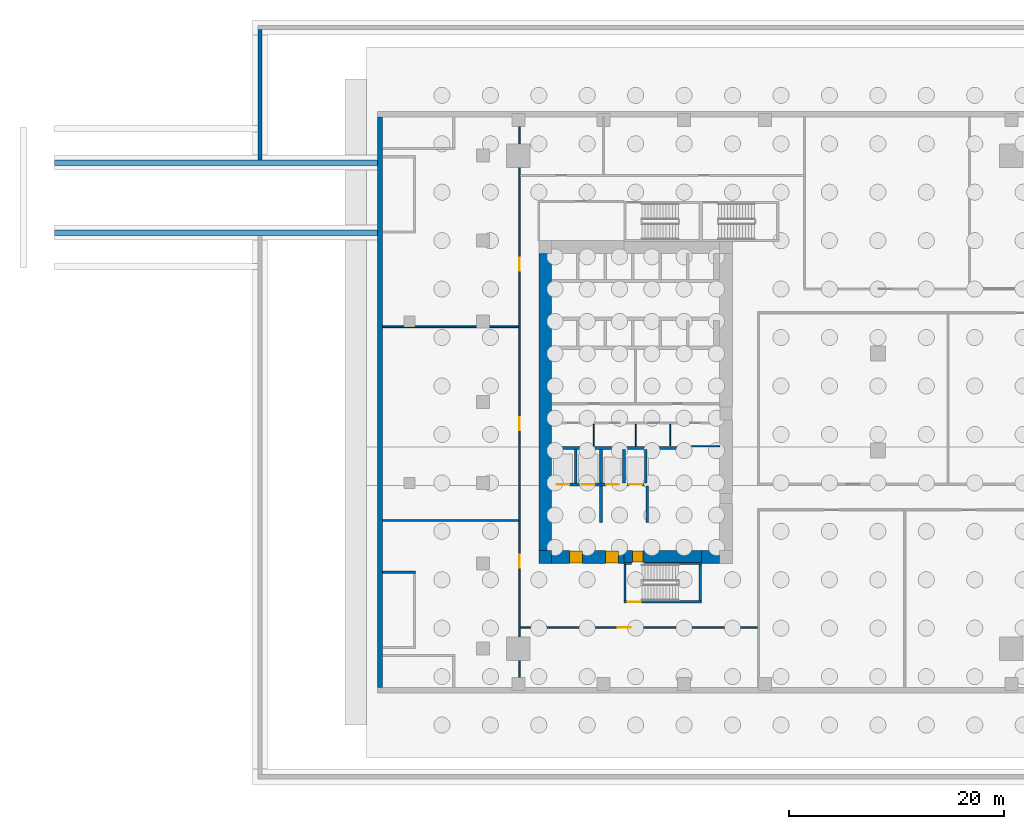
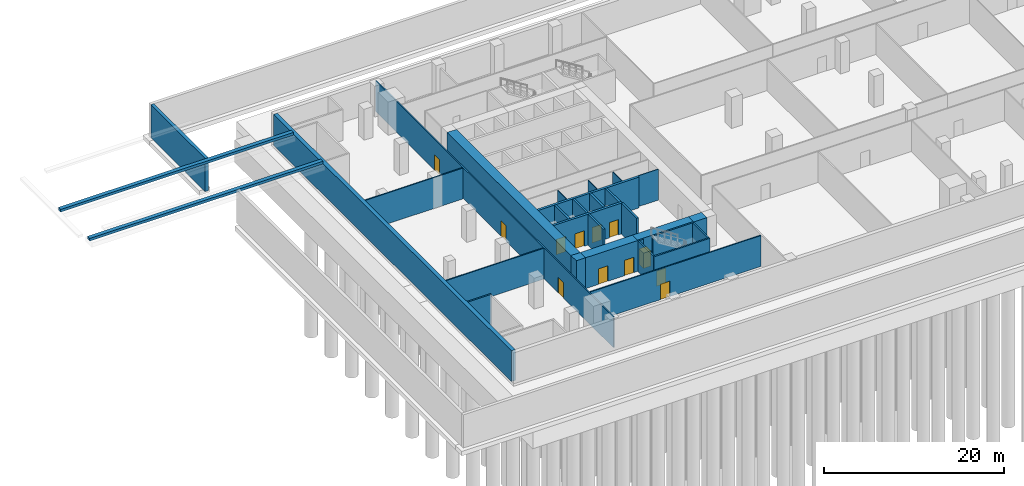
# One storey, part 3 of 10: 31 walls, 12 doors, 12 openings.
"""IFC4 building model written with IfcOpenShell, lengths in metres."""

from ifc_helpers import new_model, si_unit, direction, frame, frame_2d, origin, place, context, subcontext, project, spatial, rectangle, extrude, source, transform, mapped, material, layer, layer_set, type_object, element, fill, save


model = new_model("IFC4")

# Units and contexts
model_context = context("Model", 3, precision=1e-05, world=origin(), true_north=direction((0.0, 1.0)))
body_context = subcontext(model_context, "Body", "Model", "MODEL_VIEW")
ifc_project = project(units=[si_unit("LENGTHUNIT", "METRE"), si_unit("AREAUNIT", "SQUARE_METRE"), si_unit("VOLUMEUNIT", "CUBIC_METRE"), si_unit("PLANEANGLEUNIT", "RADIAN"), si_unit("MASSUNIT", "GRAM", prefix="KILO")], contexts=[model_context])

# Site, building, storey
site_placement = place(None, origin())
site = spatial("IfcSite", under=ifc_project, at=site_placement, CompositionType="ELEMENT")
building_placement = place(site_placement, origin())
building = spatial("IfcBuilding", under=site, at=building_placement, Name="Khomas Fold Tower", CompositionType="ELEMENT")
storey_placement = place(building_placement, frame((0.0, 0.0, -9.0)))
storey = spatial("IfcBuildingStorey", under=building, at=storey_placement, Name="B2", CompositionType="ELEMENT", Elevation=-9.0)

# Wall, openings, doors
ifc_material_1 = material(Name="Concrete C70/85", Category="concrete")
ifc_layer_1 = layer(ifc_material_1, 1.199951171875)
ifc_layer_set_1 = layer_set([ifc_layer_1], Name="Concrete C70/85")
wall_type_1 = type_object("IfcWallType", Name="Core wall 1200", PredefinedType="SHEAR", material=ifc_layer_set_1)
shared_shape_1 = source(origin(), body_context, "Body", "SweptSolid", [
    extrude(rectangle(XDim=6.699951171875, YDim=1.199951171875, at=frame_2d((3.35009765625, 0.0))), origin(), (0.0, 0.0, 1.0), 4.199951171875),
])
wall_1_placement = place(storey_placement, frame((7.199951171875, 12.60009765625, 0.0), z_axis=(0.0, 0.0, 1.0), x_axis=(1.0, 0.0, 0.0)))
wall_1 = element("IfcWall", 1, at=wall_1_placement, inside=storey, type_object=wall_type_1, Name="Core wall CW-L-S-B2", PredefinedType="SHEAR", context=body_context, shape_type="MappedRepresentation", body=[
    mapped(shared_shape_1, transform((0.0, 0.0, 0.0))),
])
shared_shape_2 = source(origin(), body_context, "Body", "SweptSolid", [
    extrude(rectangle(XDim=1.199951171875, YDim=2.10009765625, at=frame_2d((0.60009765625, 1.050048828125))), frame((0.0, 0.60986328125, 0.0), z_axis=(0.0, -1.0, 0.0), x_axis=(1.0, 0.0, 0.0)), (0.0, 0.0, 1.0), 1.219970703125),
])
opening_1_placement = place(wall_1_placement, frame((5.0, 0.0, 0.0)))
opening_1 = element("IfcOpeningElement", 2, at=opening_1_placement, cuts=wall_1, Name="Opening 0009", PredefinedType="OPENING", context=body_context, shape_type="MappedRepresentation", body=[
    mapped(shared_shape_2, transform((0.0, 0.0, 0.0))),
])
opening_2_placement = place(wall_1_placement, frame((1.64990234375, 0.0, 0.0)))
opening_2 = element("IfcOpeningElement", 3, at=opening_2_placement, cuts=wall_1, Name="Opening 0009", PredefinedType="OPENING", context=body_context, shape_type="MappedRepresentation", body=[
    mapped(shared_shape_2, transform((0.0, 0.0, 0.0))),
])
ifc_material_2 = material(Name="Steel door leaf", Category="steel")
door_type_1 = type_object("IfcDoorType", Name="Lobby door 1200x2100 right-hand", OperationType="SINGLE_SWING_RIGHT", PredefinedType="DOOR", material=ifc_material_2)
shared_shape_3 = source(origin(), body_context, "Body", "SweptSolid", [
    extrude(rectangle(XDim=1.199951171875, YDim=2.10009765625, at=frame_2d((0.60009765625, 1.050048828125))), frame((0.0, 0.5498046875, 0.0), z_axis=(0.0, -1.0, 0.0), x_axis=(1.0, 0.0, 0.0)), (0.0, 0.0, 1.0), 1.099853515625),
])
door_1_placement = place(opening_1_placement, origin())
door_1 = element("IfcDoor", 4, at=door_1_placement, inside=storey, type_object=door_type_1, Name="Lobby door", OperationType="SINGLE_SWING_RIGHT", OverallHeight=2.10009765625, OverallWidth=1.199951171875, PredefinedType="DOOR", context=body_context, shape_type="MappedRepresentation", body=[
    mapped(shared_shape_3, transform((0.0, 0.0, 0.0))),
])
fill(opening_1, door_1)
door_2_placement = place(opening_2_placement, origin())
door_2 = element("IfcDoor", 5, at=door_2_placement, inside=storey, type_object=door_type_1, Name="Lobby door", OperationType="SINGLE_SWING_RIGHT", OverallHeight=2.10009765625, OverallWidth=1.199951171875, PredefinedType="DOOR", context=body_context, shape_type="MappedRepresentation", body=[
    mapped(shared_shape_3, transform((0.0, 0.0, 0.0))),
])
fill(opening_2, door_2)

# Wall
ifc_material_3 = material(Name="Concrete C70/85", Category="concrete")
ifc_layer_2 = layer(ifc_material_3, 1.199951171875)
ifc_layer_set_2 = layer_set([ifc_layer_2], Name="Concrete C70/85")
wall_type_2 = type_object("IfcWallType", Name="Core corner wall 1200", PredefinedType="SHEAR", material=ifc_layer_set_2)
shared_shape_4 = source(origin(), body_context, "Body", "SweptSolid", [
    extrude(rectangle(XDim=1.199951171875, YDim=1.199951171875, at=frame_2d((0.60009765625, 0.0))), origin(), (0.0, 0.0, 1.0), 4.199951171875),
])
wall_2_placement = place(storey_placement, frame((6.0, 12.60009765625, 0.0), z_axis=(0.0, 0.0, 1.0), x_axis=(1.0, 0.0, 0.0)))
element("IfcWall", 6, at=wall_2_placement, inside=storey, type_object=wall_type_2, Name="Core wall CW-L-SW-B2", PredefinedType="SHEAR", context=body_context, shape_type="MappedRepresentation", body=[
    mapped(shared_shape_4, transform((0.0, 0.0, 0.0))),
])

# Wall, opening, door
ifc_material_4 = material(Name="Concrete C70/85", Category="concrete")
ifc_layer_3 = layer(ifc_material_4, 1.10009765625)
ifc_layer_set_3 = layer_set([ifc_layer_3], Name="Concrete C70/85")
wall_type_3 = type_object("IfcWallType", Name="Core wall 1100", PredefinedType="SHEAR", material=ifc_layer_set_3)
shared_shape_5 = source(origin(), body_context, "Body", "SweptSolid", [
    extrude(rectangle(XDim=7.2001953125, YDim=1.10009765625, at=frame_2d((3.60009765625, 0.0))), origin(), (0.0, 0.0, 1.0), 4.199951171875),
])
wall_3_placement = place(storey_placement, frame((13.89990234375, 12.64990234375, 0.0), z_axis=(0.0, 0.0, 1.0), x_axis=(1.0, 0.0, 0.0)))
wall_3 = element("IfcWall", 7, at=wall_3_placement, inside=storey, type_object=wall_type_3, Name="Core wall CW-L-S-B2-1", PredefinedType="SHEAR", context=body_context, shape_type="MappedRepresentation", body=[
    mapped(shared_shape_5, transform((0.0, 0.0, 0.0))),
])
shared_shape_6 = source(origin(), body_context, "Body", "SweptSolid", [
    extrude(rectangle(XDim=1.0, YDim=2.10009765625, at=frame_2d((0.5, 1.050048828125))), frame((0.0, 0.56005859375, 0.0), z_axis=(0.0, -1.0, 0.0), x_axis=(1.0, 0.0, 0.0)), (0.0, 0.0, 1.0), 1.1201171875),
])
opening_3_placement = place(wall_3_placement, frame((0.800048828125, 0.0, 0.0)))
opening_3 = element("IfcOpeningElement", 8, at=opening_3_placement, cuts=wall_3, Name="Opening 0010", PredefinedType="OPENING", context=body_context, shape_type="MappedRepresentation", body=[
    mapped(shared_shape_6, transform((0.0, 0.0, 0.0))),
])
ifc_material_5 = material(Name="Steel door leaf", Category="steel")
door_type_2 = type_object("IfcDoorType", Name="Stair door 1000x2100 right-hand", OperationType="SINGLE_SWING_RIGHT", PredefinedType="DOOR", material=ifc_material_5)
shared_shape_7 = source(origin(), body_context, "Body", "SweptSolid", [
    extrude(rectangle(XDim=1.0, YDim=2.10009765625, at=frame_2d((0.5, 1.050048828125))), frame((0.0, 0.5, 0.0), z_axis=(0.0, -1.0, 0.0), x_axis=(1.0, 0.0, 0.0)), (0.0, 0.0, 1.0), 1.0),
])
door_3_placement = place(opening_3_placement, origin())
door_3 = element("IfcDoor", 9, at=door_3_placement, inside=storey, type_object=door_type_2, Name="Stair door", OperationType="SINGLE_SWING_RIGHT", OverallHeight=2.10009765625, OverallWidth=1.0, PredefinedType="DOOR", context=body_context, shape_type="MappedRepresentation", body=[
    mapped(shared_shape_7, transform((0.0, 0.0, 0.0))),
])
fill(opening_3, door_3)

# Walls
shared_shape_8 = source(origin(), body_context, "Body", "SweptSolid", [
    extrude(rectangle(XDim=1.699951171875, YDim=1.199951171875, at=frame_2d((0.85009765625, 0.0))), origin(), (0.0, 0.0, 1.0), 4.199951171875),
])
wall_4_placement = place(storey_placement, frame((21.10009765625, 12.60009765625, 0.0), z_axis=(0.0, 0.0, 1.0), x_axis=(1.0, 0.0, 0.0)))
element("IfcWall", 10, at=wall_4_placement, inside=storey, type_object=wall_type_1, Name="Core wall CW-L-S-B2-2", PredefinedType="SHEAR", context=body_context, shape_type="MappedRepresentation", body=[
    mapped(shared_shape_8, transform((0.0, 0.0, 0.0))),
])
shared_shape_9 = source(origin(), body_context, "Body", "SweptSolid", [
    extrude(rectangle(XDim=27.60009765625, YDim=1.199951171875, at=frame_2d((13.800048828125, 0.0))), origin(), (0.0, 0.0, 1.0), 4.199951171875),
])
wall_5_placement = place(storey_placement, frame((6.60009765625, 13.199951171875, 0.0), z_axis=(0.0, 0.0, 1.0), x_axis=(0.0, 1.0, 0.0)))
element("IfcWall", 11, at=wall_5_placement, inside=storey, type_object=wall_type_1, Name="Core wall CW-L-W-B2", PredefinedType="SHEAR", context=body_context, shape_type="MappedRepresentation", body=[
    mapped(shared_shape_9, transform((0.0, 0.0, 0.0))),
])
ifc_material_6 = material(Name="Concrete C50/60", Category="concrete")
ifc_layer_4 = layer(ifc_material_6, 0.199951171875)
ifc_layer_set_4 = layer_set([ifc_layer_4], Name="Concrete C50/60")
wall_type_4 = type_object("IfcWallType", Name="Stair wall 200", PredefinedType="SHEAR", material=ifc_layer_set_4)
shared_shape_10 = source(origin(), body_context, "Body", "SweptSolid", [
    extrude(rectangle(XDim=0.7001953125, YDim=0.199951171875, at=frame_2d((0.35009765625, 0.0))), origin(), (0.0, 0.0, 1.0), 4.199951171875),
])
wall_6_placement = place(storey_placement, frame((13.89990234375, 12.0, 0.0), z_axis=(0.0, 0.0, 1.0), x_axis=(1.0, 0.0, 0.0)))
element("IfcWall", 12, at=wall_6_placement, inside=storey, type_object=wall_type_4, Name="Stair wall SW-ST2-N", PredefinedType="SHEAR", context=body_context, shape_type="MappedRepresentation", body=[
    mapped(shared_shape_10, transform((0.0, 0.0, 0.0))),
])
shared_shape_11 = source(origin(), body_context, "Body", "SweptSolid", [
    extrude(rectangle(XDim=5.300048828125, YDim=0.199951171875, at=frame_2d((2.64990234375, 0.0))), origin(), (0.0, 0.0, 1.0), 4.199951171875),
])
wall_7_placement = place(storey_placement, frame((15.800048828125, 12.0, 0.0), z_axis=(0.0, 0.0, 1.0), x_axis=(1.0, 0.0, 0.0)))
element("IfcWall", 13, at=wall_7_placement, inside=storey, type_object=wall_type_4, Name="Stair wall SW-ST2-NB", PredefinedType="SHEAR", context=body_context, shape_type="MappedRepresentation", body=[
    mapped(shared_shape_11, transform((0.0, 0.0, 0.0))),
])

# Wall, opening, door
shared_shape_12 = source(origin(), body_context, "Body", "SweptSolid", [
    extrude(rectangle(XDim=7.2001953125, YDim=0.199951171875, at=frame_2d((3.60009765625, 0.0))), origin(), (0.0, 0.0, 1.0), 4.199951171875),
])
wall_8_placement = place(storey_placement, frame((13.89990234375, 8.449951171875, 0.0), z_axis=(0.0, 0.0, 1.0), x_axis=(1.0, 0.0, 0.0)))
wall_8 = element("IfcWall", 14, at=wall_8_placement, inside=storey, type_object=wall_type_4, Name="Stair wall SW-ST2-S", PredefinedType="SHEAR", context=body_context, shape_type="MappedRepresentation", body=[
    mapped(shared_shape_12, transform((0.0, 0.0, 0.0))),
])
shared_shape_13 = source(origin(), body_context, "Body", "SweptSolid", [
    extrude(rectangle(XDim=1.199951171875, YDim=2.10009765625, at=frame_2d((0.60009765625, 1.050048828125))), frame((0.0, 0.10986328125, 0.0), z_axis=(0.0, -1.0, 0.0), x_axis=(1.0, 0.0, 0.0)), (0.0, 0.0, 1.0), 0.219970703125),
])
opening_4_placement = place(wall_8_placement, frame((0.35009765625, 0.0, 0.0)))
opening_4 = element("IfcOpeningElement", 15, at=opening_4_placement, cuts=wall_8, Name="Opening SD-ST2", PredefinedType="OPENING", context=body_context, shape_type="MappedRepresentation", body=[
    mapped(shared_shape_13, transform((0.0, 0.0, 0.0))),
])
ifc_material_7 = material(Name="Steel door leaf", Category="steel")
door_type_3 = type_object("IfcDoorType", Name="Stair door 1200x2100 right-hand", OperationType="SINGLE_SWING_RIGHT", PredefinedType="DOOR", material=ifc_material_7)
shared_shape_14 = source(origin(), body_context, "Body", "SweptSolid", [
    extrude(rectangle(XDim=1.199951171875, YDim=2.10009765625, at=frame_2d((0.60009765625, 1.050048828125))), frame((0.0, 0.02490234375, 0.0), z_axis=(0.0, -1.0, 0.0), x_axis=(1.0, 0.0, 0.0)), (0.0, 0.0, 1.0), 0.050048828125),
])
door_4_placement = place(opening_4_placement, origin())
door_4 = element("IfcDoor", 16, at=door_4_placement, inside=storey, type_object=door_type_3, Name="Stair door", OperationType="SINGLE_SWING_RIGHT", OverallHeight=2.10009765625, OverallWidth=1.199951171875, PredefinedType="DOOR", context=body_context, shape_type="MappedRepresentation", body=[
    mapped(shared_shape_14, transform((0.0, 0.0, 0.0))),
])
fill(opening_4, door_4)

# Walls
shared_shape_15 = source(origin(), body_context, "Body", "SweptSolid", [
    extrude(rectangle(XDim=3.349853515625, YDim=0.199951171875, at=frame_2d((1.6748046875, 0.0))), origin(), (0.0, 0.0, 1.0), 4.199951171875),
])
for number, where, z_axis, x_axis, name in (
    (17, (21.0, 8.550048828125, 0.0), (0.0, 0.0, 1.0), (0.0, 1.0, 0.0), "Stair wall SW-ST2-E"),
    (18, (14.0, 8.550048828125, 0.0), (0.0, 0.0, 1.0), (0.0, 1.0, 0.0), "Stair wall SW-ST2-W"),
):
    element("IfcWall", number, at=place(storey_placement, frame(where, z_axis=z_axis, x_axis=x_axis)), inside=storey, type_object=wall_type_4, Name=name, PredefinedType="SHEAR", context=body_context, shape_type="MappedRepresentation", body=[
        mapped(shared_shape_15, transform((0.0, 0.0, 0.0))),
    ])
ifc_material_8 = material(Name="Concrete C50/60", Category="concrete")
ifc_layer_5 = layer(ifc_material_8, 0.300048828125)
ifc_layer_set_5 = layer_set([ifc_layer_5], Name="Concrete C50/60")
wall_type_5 = type_object("IfcWallType", Name="Shaft wall 300", PredefinedType="STANDARD", material=ifc_layer_set_5)
shared_shape_16 = source(origin(), body_context, "Body", "SweptSolid", [
    extrude(rectangle(XDim=13.0, YDim=0.300048828125, at=frame_2d((6.5, 0.0))), origin(), (0.0, 0.0, 1.0), 4.199951171875),
])
wall_9_placement = place(storey_placement, frame((7.199951171875, 22.75, 0.0), z_axis=(0.0, 0.0, 1.0), x_axis=(1.0, 0.0, 0.0)))
element("IfcWall", 19, at=wall_9_placement, inside=storey, type_object=wall_type_5, Name="Core wall SW-FS-B", PredefinedType="STANDARD", context=body_context, shape_type="MappedRepresentation", body=[
    mapped(shared_shape_16, transform((0.0, 0.0, 0.0))),
])

# Wall, openings, doors
shared_shape_17 = source(origin(), body_context, "Body", "SweptSolid", [
    extrude(rectangle(XDim=8.875, YDim=0.300048828125, at=frame_2d((4.4375, 0.0))), origin(), (0.0, 0.0, 1.0), 4.199951171875),
])
wall_10_placement = place(storey_placement, frame((7.199951171875, 19.35009765625, 0.0), z_axis=(0.0, 0.0, 1.0), x_axis=(1.0, 0.0, 0.0)))
wall_10 = element("IfcWall", 20, at=wall_10_placement, inside=storey, type_object=wall_type_5, Name="Core wall SW-FS-F", PredefinedType="STANDARD", context=body_context, shape_type="MappedRepresentation", body=[
    mapped(shared_shape_17, transform((0.0, 0.0, 0.0))),
])
shared_shape_18 = source(origin(), body_context, "Body", "SweptSolid", [
    extrude(rectangle(XDim=1.199951171875, YDim=2.10009765625, at=frame_2d((0.60009765625, 1.050048828125))), frame((0.0, 0.159912109375, 0.0), z_axis=(0.0, -1.0, 0.0), x_axis=(1.0, 0.0, 0.0)), (0.0, 0.0, 1.0), 0.320068359375),
])
opening_5_placement = place(wall_10_placement, frame((0.449951171875, 0.0, 0.0)))
opening_5 = element("IfcOpeningElement", 21, at=opening_5_placement, cuts=wall_10, Name="Opening LD-SV1", PredefinedType="OPENING", context=body_context, shape_type="MappedRepresentation", body=[
    mapped(shared_shape_18, transform((0.0, 0.0, 0.0))),
])
opening_6_placement = place(wall_10_placement, frame((2.800048828125, 0.0, 0.0)))
opening_6 = element("IfcOpeningElement", 22, at=opening_6_placement, cuts=wall_10, Name="Opening LD-SV2", PredefinedType="OPENING", context=body_context, shape_type="MappedRepresentation", body=[
    mapped(shared_shape_18, transform((0.0, 0.0, 0.0))),
])
opening_7_placement = place(wall_10_placement, frame((5.050048828125, 0.0, 0.0)))
opening_7 = element("IfcOpeningElement", 23, at=opening_7_placement, cuts=wall_10, Name="Opening LD-FF1", PredefinedType="OPENING", context=body_context, shape_type="MappedRepresentation", body=[
    mapped(shared_shape_18, transform((0.0, 0.0, 0.0))),
])
opening_8_placement = place(wall_10_placement, frame((7.199951171875, 0.0, 0.0)))
opening_8 = element("IfcOpeningElement", 24, at=opening_8_placement, cuts=wall_10, Name="Opening LD-FF2", PredefinedType="OPENING", context=body_context, shape_type="MappedRepresentation", body=[
    mapped(shared_shape_18, transform((0.0, 0.0, 0.0))),
])
ifc_material_9 = material(Name="Steel door leaf", Category="steel")
door_type_4 = type_object("IfcDoorType", Name="Landing door 1200x2100", OperationType="DOUBLE_DOOR_SLIDING", PredefinedType="DOOR", material=ifc_material_9)
door_5_placement = place(opening_5_placement, origin())
door_5 = element("IfcDoor", 25, at=door_5_placement, inside=storey, type_object=door_type_4, Name="Lift landing door", OperationType="DOUBLE_DOOR_SLIDING", OverallHeight=2.10009765625, OverallWidth=1.199951171875, PredefinedType="DOOR", context=body_context, shape_type="MappedRepresentation", body=[
    mapped(shared_shape_14, transform((0.0, 0.0, 0.0))),
])
fill(opening_5, door_5)
door_6_placement = place(opening_6_placement, origin())
door_6 = element("IfcDoor", 26, at=door_6_placement, inside=storey, type_object=door_type_4, Name="Lift landing door", OperationType="DOUBLE_DOOR_SLIDING", OverallHeight=2.10009765625, OverallWidth=1.199951171875, PredefinedType="DOOR", context=body_context, shape_type="MappedRepresentation", body=[
    mapped(shared_shape_14, transform((0.0, 0.0, 0.0))),
])
fill(opening_6, door_6)
door_7_placement = place(opening_7_placement, origin())
door_7 = element("IfcDoor", 27, at=door_7_placement, inside=storey, type_object=door_type_4, Name="Lift landing door", OperationType="DOUBLE_DOOR_SLIDING", OverallHeight=2.10009765625, OverallWidth=1.199951171875, PredefinedType="DOOR", context=body_context, shape_type="MappedRepresentation", body=[
    mapped(shared_shape_14, transform((0.0, 0.0, 0.0))),
])
fill(opening_7, door_7)
door_8_placement = place(opening_8_placement, origin())
door_8 = element("IfcDoor", 28, at=door_8_placement, inside=storey, type_object=door_type_4, Name="Lift landing door", OperationType="DOUBLE_DOOR_SLIDING", OverallHeight=2.10009765625, OverallWidth=1.199951171875, PredefinedType="DOOR", context=body_context, shape_type="MappedRepresentation", body=[
    mapped(shared_shape_14, transform((0.0, 0.0, 0.0))),
])
fill(opening_8, door_8)

# Walls
ifc_material_10 = material(Name="Concrete C50/60", Category="concrete")
ifc_layer_6 = layer(ifc_material_10, 0.25)
ifc_layer_set_6 = layer_set([ifc_layer_6], Name="Concrete C50/60")
wall_type_6 = type_object("IfcWallType", Name="Shaft wall 250", PredefinedType="STANDARD", material=ifc_layer_set_6)
shared_shape_19 = source(origin(), body_context, "Body", "SweptSolid", [
    extrude(rectangle(XDim=3.10009765625, YDim=0.25, at=frame_2d((1.550048828125, 0.0))), origin(), (0.0, 0.0, 1.0), 4.199951171875),
])
for number, where, z_axis, x_axis, name in (
    (29, (9.425048828125, 19.5, 0.0), (0.0, 0.0, 1.0), (0.0, 1.0, 0.0), "Core wall SW-FS-P1"),
    (30, (11.77490234375, 19.5, 0.0), (0.0, 0.0, 1.0), (0.0, 1.0, 0.0), "Core wall SW-FS-P2"),
    (31, (13.925048828125, 19.5, 0.0), (0.0, 0.0, 1.0), (0.0, 1.0, 0.0), "Core wall SW-FS-P3"),
    (32, (15.949951171875, 19.5, 0.0), (0.0, 0.0, 1.0), (0.0, 1.0, 0.0), "Core wall SW-FS-PE"),
):
    element("IfcWall", number, at=place(storey_placement, frame(where, z_axis=z_axis, x_axis=x_axis)), inside=storey, type_object=wall_type_6, Name=name, PredefinedType="STANDARD", context=body_context, shape_type="MappedRepresentation", body=[
        mapped(shared_shape_19, transform((0.0, 0.0, 0.0))),
    ])
ifc_material_11 = material(Name="Concrete C50/60", Category="concrete")
ifc_layer_7 = layer(ifc_material_11, 0.25)
ifc_layer_set_7 = layer_set([ifc_layer_7], Name="Concrete C50/60")
wall_type_7 = type_object("IfcWallType", Name="Lobby wall 250", PredefinedType="STANDARD", material=ifc_layer_set_7)
shared_shape_20 = source(origin(), body_context, "Body", "SweptSolid", [
    extrude(rectangle(XDim=3.39990234375, YDim=0.25, at=frame_2d((1.699951171875, 0.0))), origin(), (0.0, 0.0, 1.0), 4.199951171875),
])
for number, where, z_axis, x_axis, name in (
    (33, (16.074951171875, 15.800048828125, 0.0), (0.0, 0.0, 1.0), (0.0, 1.0, 0.0), "Core wall SW-FS-LOB-E"),
    (34, (11.77490234375, 15.800048828125, 0.0), (0.0, 0.0, 1.0), (0.0, 1.0, 0.0), "Core wall SW-FS-SEP"),
):
    element("IfcWall", number, at=place(storey_placement, frame(where, z_axis=z_axis, x_axis=x_axis)), inside=storey, type_object=wall_type_7, Name=name, PredefinedType="STANDARD", context=body_context, shape_type="MappedRepresentation", body=[
        mapped(shared_shape_20, transform((0.0, 0.0, 0.0))),
    ])
ifc_material_12 = material(Name="Concrete C40/50", Category="concrete")
ifc_layer_8 = layer(ifc_material_12, 0.5)
ifc_layer_set_8 = layer_set([ifc_layer_8], Name="Concrete C40/50")
wall_type_8 = type_object("IfcWallType", Name="Basement wall 500", PredefinedType="STANDARD", material=ifc_layer_set_8)
shared_shape_21 = source(origin(), body_context, "Body", "SweptSolid", [
    extrude(rectangle(XDim=53.0, YDim=0.5, at=frame_2d((26.5, 0.0))), origin(), (0.0, 0.0, 1.0), 4.199951171875),
])
wall_11_placement = place(storey_placement, frame((-8.75, 0.5, 0.0), z_axis=(0.0, 0.0, 1.0), x_axis=(0.0, 1.0, 0.0)))
element("IfcWall", 35, at=wall_11_placement, inside=storey, type_object=wall_type_8, Name="Basement wall W", PredefinedType="STANDARD", context=body_context, shape_type="MappedRepresentation", body=[
    mapped(shared_shape_21, transform((0.0, 0.0, 0.0))),
])
ifc_material_13 = material(Name="Concrete C40/50", Category="concrete")
ifc_layer_9 = layer(ifc_material_13, 0.39990234375)
ifc_layer_set_9 = layer_set([ifc_layer_9], Name="Concrete C40/50")
wall_type_9 = type_object("IfcWallType", Name="Plaza retaining wall 400", PredefinedType="SOLIDWALL", material=ifc_layer_set_9)
shared_shape_22 = source(origin(), body_context, "Body", "SweptSolid", [
    extrude(rectangle(XDim=12.10009765625, YDim=0.39990234375, at=frame_2d((6.050048828125, 0.0))), origin(), (0.0, 0.0, 1.0), 4.5),
])
wall_12_placement = place(storey_placement, frame((-19.898193359375, 49.5, 0.0), z_axis=(0.0, 0.0, 1.0), x_axis=(0.0, 1.0, 0.0)))
element("IfcWall", 36, at=wall_12_placement, inside=storey, type_object=wall_type_9, Name="Plaza retaining wall", PredefinedType="SOLIDWALL", context=body_context, shape_type="MappedRepresentation", body=[
    mapped(shared_shape_22, transform((0.0, 0.0, 0.0))),
])
ifc_material_14 = material(Name="Concrete C40/50", Category="concrete")
ifc_layer_10 = layer(ifc_material_14, 0.5)
ifc_layer_set_10 = layer_set([ifc_layer_10], Name="Concrete C40/50")
wall_type_10 = type_object("IfcWallType", Name="Ramp retaining wall 500", PredefinedType="SOLIDWALL", material=ifc_layer_set_10)
shared_shape_23 = source(origin(), body_context, "Body", "SweptSolid", [
    extrude(rectangle(XDim=29.99462890625, YDim=0.5, at=frame_2d((14.997314453125, 0.0))), origin(), (0.0, 0.0, 1.0), 0.360107421875),
])
for number, where, z_axis, x_axis, name in (
    (37, (-38.99462890625, 42.75, 4.139892578125), (0.0, 0.0, 1.0), (1.0, 0.0, 0.0), "Ramp retaining wall"),
    (38, (-38.99462890625, 49.25, 4.139892578125), (0.0, 0.0, 1.0), (1.0, 0.0, 0.0), "Ramp retaining wall"),
):
    element("IfcWall", number, at=place(storey_placement, frame(where, z_axis=z_axis, x_axis=x_axis)), inside=storey, type_object=wall_type_10, Name=name, PredefinedType="SOLIDWALL", context=body_context, shape_type="MappedRepresentation", body=[
        mapped(shared_shape_23, transform((0.0, 0.0, 0.0))),
    ])

# Wall, openings, doors
ifc_material_15 = material(Name="Plasterboard fire partition")
ifc_layer_11 = layer(ifc_material_15, 0.14990234375)
ifc_layer_set_11 = layer_set([ifc_layer_11], Name="Plasterboard fire partition")
wall_type_11 = type_object("IfcWallType", Name="Plant room wall PW3 150", PredefinedType="PARTITIONING", material=ifc_layer_set_11)
shared_shape_24 = source(origin(), body_context, "Body", "SweptSolid", [
    extrude(rectangle(XDim=53.0, YDim=0.14990234375, at=frame_2d((26.5, 0.0))), origin(), (0.0, 0.0, 1.0), 4.199951171875),
])
wall_13_placement = place(storey_placement, frame((4.199951171875, 0.5, 0.0), z_axis=(0.0, 0.0, 1.0), x_axis=(0.0, 1.0, 0.0)))
wall_13 = element("IfcWall", 39, at=wall_13_placement, inside=storey, type_object=wall_type_11, Name="Plant room wall", PredefinedType="PARTITIONING", context=body_context, shape_type="MappedRepresentation", body=[
    mapped(shared_shape_24, transform((0.0, 0.0, 0.0))),
])
shared_shape_25 = source(origin(), body_context, "Body", "SweptSolid", [
    extrude(rectangle(XDim=1.199951171875, YDim=2.10009765625, at=frame_2d((0.60009765625, 1.050048828125))), frame((0.0, 0.0849609375, 0.0), z_axis=(0.0, -1.0, 0.0), x_axis=(1.0, 0.0, 0.0)), (0.0, 0.0, 1.0), 0.169921875),
])
opening_9_placement = place(wall_13_placement, frame((11.10009765625, 0.0, 0.0)))
opening_9 = element("IfcOpeningElement", 40, at=opening_9_placement, cuts=wall_13, Name="Opening 0011", PredefinedType="OPENING", context=body_context, shape_type="MappedRepresentation", body=[
    mapped(shared_shape_25, transform((0.0, 0.0, 0.0))),
])
opening_10_placement = place(wall_13_placement, frame((23.89990234375, 0.0, 0.0)))
opening_10 = element("IfcOpeningElement", 41, at=opening_10_placement, cuts=wall_13, Name="Opening 0012", PredefinedType="OPENING", context=body_context, shape_type="MappedRepresentation", body=[
    mapped(shared_shape_25, transform((0.0, 0.0, 0.0))),
])
opening_11_placement = place(wall_13_placement, frame((38.699951171875, 0.0, 0.0)))
opening_11 = element("IfcOpeningElement", 42, at=opening_11_placement, cuts=wall_13, Name="Opening 0011", PredefinedType="OPENING", context=body_context, shape_type="MappedRepresentation", body=[
    mapped(shared_shape_25, transform((0.0, 0.0, 0.0))),
])
ifc_material_16 = material(Name="Steel door leaf", Category="steel")
door_type_5 = type_object("IfcDoorType", Name="Plant room door 1200x2100 right-hand", OperationType="SINGLE_SWING_RIGHT", PredefinedType="DOOR", material=ifc_material_16)
door_9_placement = place(opening_9_placement, origin())
door_9 = element("IfcDoor", 43, at=door_9_placement, inside=storey, type_object=door_type_5, Name="Plant room door", OperationType="SINGLE_SWING_RIGHT", OverallHeight=2.10009765625, OverallWidth=1.199951171875, PredefinedType="DOOR", context=body_context, shape_type="MappedRepresentation", body=[
    mapped(shared_shape_14, transform((0.0, 0.0, 0.0))),
])
fill(opening_9, door_9)
ifc_material_17 = material(Name="Steel door leaf", Category="steel")
door_type_6 = type_object("IfcDoorType", Name="Plant room door 1200x2100 left-hand", OperationType="SINGLE_SWING_LEFT", PredefinedType="DOOR", material=ifc_material_17)
door_10_placement = place(opening_10_placement, origin())
door_10 = element("IfcDoor", 44, at=door_10_placement, inside=storey, type_object=door_type_6, Name="Plant room door", OperationType="SINGLE_SWING_LEFT", OverallHeight=2.10009765625, OverallWidth=1.199951171875, PredefinedType="DOOR", context=body_context, shape_type="MappedRepresentation", body=[
    mapped(shared_shape_14, transform((0.0, 0.0, 0.0))),
])
fill(opening_10, door_10)
door_11_placement = place(opening_11_placement, origin())
door_11 = element("IfcDoor", 45, at=door_11_placement, inside=storey, type_object=door_type_5, Name="Plant room door", OperationType="SINGLE_SWING_RIGHT", OverallHeight=2.10009765625, OverallWidth=1.199951171875, PredefinedType="DOOR", context=body_context, shape_type="MappedRepresentation", body=[
    mapped(shared_shape_14, transform((0.0, 0.0, 0.0))),
])
fill(opening_11, door_11)

# Wall, opening, door
shared_shape_26 = source(origin(), body_context, "Body", "SweptSolid", [
    extrude(rectangle(XDim=22.0, YDim=0.14990234375, at=frame_2d((11.0, 0.0))), origin(), (0.0, 0.0, 1.0), 4.199951171875),
])
wall_14_placement = place(storey_placement, frame((4.300048828125, 6.050048828125, 0.0), z_axis=(0.0, 0.0, 1.0), x_axis=(1.0, 0.0, 0.0)))
wall_14 = element("IfcWall", 46, at=wall_14_placement, inside=storey, type_object=wall_type_11, Name="Plant room wall", PredefinedType="PARTITIONING", context=body_context, shape_type="MappedRepresentation", body=[
    mapped(shared_shape_26, transform((0.0, 0.0, 0.0))),
])
opening_12_placement = place(wall_14_placement, frame((9.050048828125, 0.0, 0.0)))
opening_12 = element("IfcOpeningElement", 47, at=opening_12_placement, cuts=wall_14, Name="Opening 0012", PredefinedType="OPENING", context=body_context, shape_type="MappedRepresentation", body=[
    mapped(shared_shape_25, transform((0.0, 0.0, 0.0))),
])
door_12_placement = place(opening_12_placement, origin())
door_12 = element("IfcDoor", 48, at=door_12_placement, inside=storey, type_object=door_type_6, Name="Plant room door", OperationType="SINGLE_SWING_LEFT", OverallHeight=2.10009765625, OverallWidth=1.199951171875, PredefinedType="DOOR", context=body_context, shape_type="MappedRepresentation", body=[
    mapped(shared_shape_14, transform((0.0, 0.0, 0.0))),
])
fill(opening_12, door_12)

# Walls
shared_shape_27 = source(origin(), body_context, "Body", "SweptSolid", [
    extrude(rectangle(XDim=12.60009765625, YDim=0.14990234375, at=frame_2d((6.300048828125, 0.0))), origin(), (0.0, 0.0, 1.0), 4.199951171875),
])
for number, where, z_axis, x_axis, name in (
    (49, (-8.5, 16.0, 0.0), (0.0, 0.0, 1.0), (1.0, 0.0, 0.0), "Plant room wall"),
    (50, (-8.5, 34.0, 0.0), (0.0, 0.0, 1.0), (1.0, 0.0, 0.0), "Plant room wall"),
):
    element("IfcWall", number, at=place(storey_placement, frame(where, z_axis=z_axis, x_axis=x_axis)), inside=storey, type_object=wall_type_11, Name=name, PredefinedType="PARTITIONING", context=body_context, shape_type="MappedRepresentation", body=[
        mapped(shared_shape_27, transform((0.0, 0.0, 0.0))),
    ])
ifc_material_18 = material(Name="Plasterboard partition")
ifc_layer_12 = layer(ifc_material_18, 0.10009765625)
ifc_layer_set_12 = layer_set([ifc_layer_12], Name="Plasterboard partition")
wall_type_12 = type_object("IfcWallType", Name="Partition PW1 100", PredefinedType="PARTITIONING", material=ifc_layer_set_12)
shared_shape_28 = source(origin(), body_context, "Body", "SweptSolid", [
    extrude(rectangle(XDim=2.050048828125, YDim=0.10009765625, at=frame_2d((1.02490234375, 0.0))), origin(), (0.0, 0.0, 1.0), 4.199951171875),
])
for number, where, z_axis, x_axis, name in (
    (51, (11.10009765625, 22.89990234375, 0.0), (0.0, 0.0, 1.0), (0.0, 1.0, 0.0), "Partition"),
    (52, (15.0, 22.89990234375, 0.0), (0.0, 0.0, 1.0), (0.0, 1.0, 0.0), "Partition"),
):
    element("IfcWall", number, at=place(storey_placement, frame(where, z_axis=z_axis, x_axis=x_axis)), inside=storey, type_object=wall_type_12, Name=name, PredefinedType="PARTITIONING", context=body_context, shape_type="MappedRepresentation", body=[
        mapped(shared_shape_28, transform((0.0, 0.0, 0.0))),
    ])
shared_shape_29 = source(origin(), body_context, "Body", "SweptSolid", [
    extrude(rectangle(XDim=2.60009765625, YDim=0.10009765625, at=frame_2d((1.300048828125, 0.0))), origin(), (0.0, 0.0, 1.0), 4.199951171875),
])
wall_15_placement = place(storey_placement, frame((20.199951171875, 22.89990234375, 0.0), z_axis=(0.0, 0.0, 1.0), x_axis=(1.0, 0.0, 0.0)))
element("IfcWall", 53, at=wall_15_placement, inside=storey, type_object=wall_type_12, Name="Partition", PredefinedType="PARTITIONING", context=body_context, shape_type="MappedRepresentation", body=[
    mapped(shared_shape_29, transform((0.0, 0.0, 0.0))),
])
shared_shape_30 = source(origin(), body_context, "Body", "SweptSolid", [
    extrude(rectangle(XDim=2.0, YDim=0.10009765625, at=frame_2d((1.0, 0.0))), origin(), (0.0, 0.0, 1.0), 4.199951171875),
])
wall_16_placement = place(storey_placement, frame((18.199951171875, 22.949951171875, 0.0), z_axis=(0.0, 0.0, 1.0), x_axis=(0.0, 1.0, 0.0)))
element("IfcWall", 54, at=wall_16_placement, inside=storey, type_object=wall_type_12, Name="Partition", PredefinedType="PARTITIONING", context=body_context, shape_type="MappedRepresentation", body=[
    mapped(shared_shape_30, transform((0.0, 0.0, 0.0))),
])
ifc_material_19 = material(Name="Concrete C30/37", Category="concrete")
ifc_layer_13 = layer(ifc_material_19, 0.199951171875)
ifc_layer_set_13 = layer_set([ifc_layer_13], Name="Concrete C30/37")
wall_type_13 = type_object("IfcWallType", Name="Stair wall PW5 200", PredefinedType="PARTITIONING", material=ifc_layer_set_13)
shared_shape_31 = source(origin(), body_context, "Body", "SweptSolid", [
    extrude(rectangle(XDim=3.050048828125, YDim=0.199951171875, at=frame_2d((1.52490234375, 0.0))), origin(), (0.0, 0.0, 1.0), 4.199951171875),
])
wall_17_placement = place(storey_placement, frame((-8.5, 11.199951171875, 0.0), z_axis=(0.0, 0.0, 1.0), x_axis=(1.0, 0.0, 0.0)))
element("IfcWall", 55, at=wall_17_placement, inside=storey, type_object=wall_type_13, Name="Stair wall", PredefinedType="PARTITIONING", context=body_context, shape_type="MappedRepresentation", body=[
    mapped(shared_shape_31, transform((0.0, 0.0, 0.0))),
])

save(model, "model.ifc")
